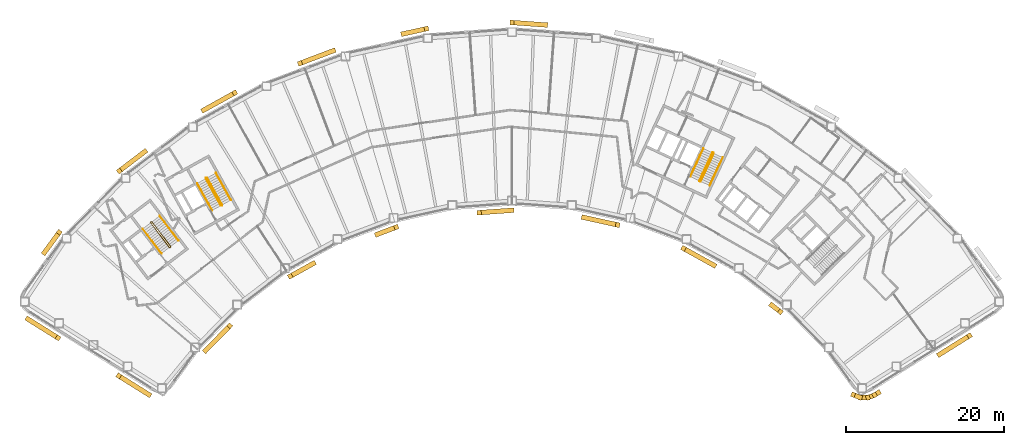
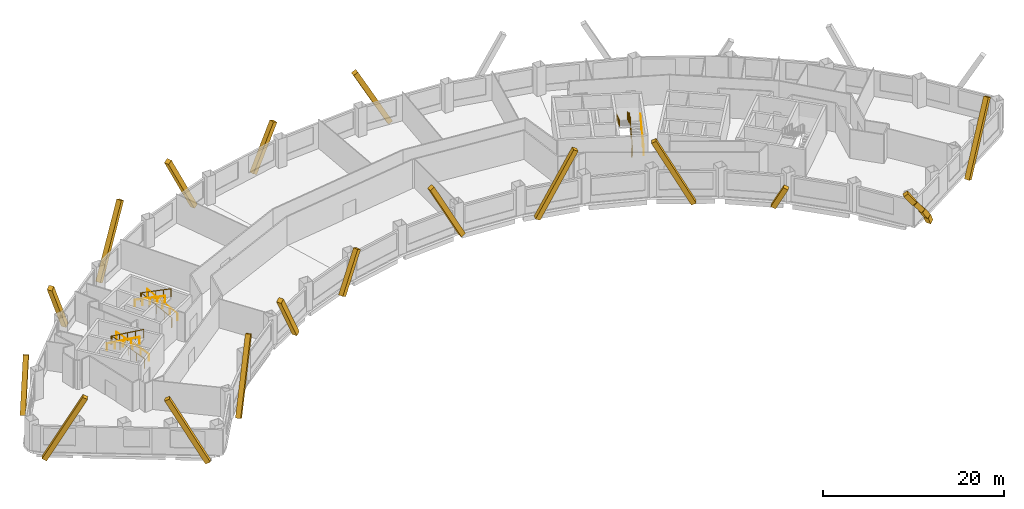
# One storey, part 10 of 11: 20 coverings, 9 railings.
"""IFC4 building model written with IfcOpenShell, lengths in metres."""

from ifc_helpers import new_model, si_unit, direction, frame, origin, origin_2d, place, context, subcontext, project, spatial, rectangle, circle, extrude, material, material_profile, profile_set, type_object, element, save


model = new_model("IFC4")

# Units and contexts
model_context = context("Model", 3, precision=1e-05, world=origin(), true_north=direction((0.0, 1.0)))
body_context = subcontext(model_context, "Body", "Model", "MODEL_VIEW")
ifc_project = project(units=[si_unit("LENGTHUNIT", "METRE"), si_unit("AREAUNIT", "SQUARE_METRE"), si_unit("VOLUMEUNIT", "CUBIC_METRE"), si_unit("PLANEANGLEUNIT", "RADIAN"), si_unit("MASSUNIT", "GRAM", prefix="KILO")], contexts=[model_context])

# Site, building, storey
site_placement = place(None, origin())
site = spatial("IfcSite", under=ifc_project, at=site_placement, CompositionType="ELEMENT")
building_placement = place(site_placement, origin())
building = spatial("IfcBuilding", under=site, at=building_placement, Name="Tuul Gate Civic Tower", CompositionType="ELEMENT")
storey_placement = place(building_placement, frame((0.0, 0.0, 116.10009765625)))
storey = spatial("IfcBuildingStorey", under=building, at=storey_placement, Name="Level 26", CompositionType="ELEMENT", Elevation=116.10009765625)

# Railings
ifc_material_1 = material(Name="Painted steel", Category="steel")
railing_type_1 = type_object("IfcRailingType", Name="Stair guard", PredefinedType="GUARDRAIL", material=ifc_material_1)
railing_1_placement = place(storey_placement, frame((-33.382080078125, -13.515380859375, 0.0)))
element("IfcRailing", 1, at=railing_1_placement, inside=storey, type_object=railing_type_1, Name="Level 26 ST-1 stair guard 1", PredefinedType="GUARDRAIL", context=body_context, shape_type="SweptSolid", body=[
    extrude(circle(Radius=0.02392578125, at=origin_2d()), frame((0.0, 0.0, 1.076171875), z_axis=(-0.795879841968, -0.605454603706, 0.0), x_axis=(0.605454603706, -0.795879841968, 0.0)), (0.0, 0.0, 1.0), 0.10009765625),
    extrude(circle(Radius=0.02392578125, at=origin_2d()), frame((-0.07958984375, -0.060546875, 1.076171875), z_axis=(0.408991890351, 0.599481263939, 0.688002796371), x_axis=(-0.826063974707, 0.563576356576, 0.0)), (0.0, 0.0, 1.0), 0.2177734375),
    extrude(circle(Radius=0.02392578125, at=origin_2d()), frame((0.009521484375, 0.070068359375, 1.22607421875), z_axis=(-0.541824460341, 0.711645023348, 0.447199748346), x_axis=(-0.795637165283, -0.60577347352, 0.0)), (0.0, 0.0, 1.0), 4.3603515625),
    extrude(circle(Radius=0.02392578125, at=origin_2d()), frame((-2.35302734375, 3.173095703125, 3.17578125), z_axis=(-0.990893089246, 0.134650977284, 0.0), x_axis=(-0.134650977284, -0.990893089246, 0.0)), (0.0, 0.0, 1.0), 0.07080078125),
    extrude(circle(Radius=0.02392578125, at=origin_2d()), frame((-2.423095703125, 3.1826171875, 3.17578125), z_axis=(-0.793802879778, -0.60817512943, 0.0), x_axis=(0.60817512943, -0.793802879778, 0.0)), (0.0, 0.0, 1.0), 0.099853515625),
    extrude(circle(Radius=0.02392578125, at=origin_2d()), frame((-2.50244140625, 3.121826171875, 3.17578125), z_axis=(-0.057370624079, -0.422188951554, 0.904690610473), x_axis=(0.990893089246, -0.134650977284, 0.0)), (0.0, 0.0, 1.0), 0.166015625),
    extrude(circle(Radius=0.02392578125, at=origin_2d()), frame((-2.511962890625, 3.0517578125, 3.326171875), z_axis=(0.541806494602, -0.71163897684, 0.447231136047), x_axis=(0.795644365679, 0.605764016233, 0.0)), (0.0, 0.0, 1.0), 4.360107421875),
    extrude(circle(Radius=0.02099609375, at=origin_2d()), origin(), (0.0, 0.0, 1.0), 1.052001953125),
    extrude(circle(Radius=0.02099609375, at=origin_2d()), frame((-0.07958984375, -0.060546875, 0.0)), (0.0, 0.0, 1.0), 1.052001953125),
    extrude(circle(Radius=0.02099609375, at=origin_2d()), frame((0.009521484375, 0.070068359375, 0.14990234375)), (0.0, 0.0, 1.0), 1.052001953125),
    extrude(circle(Radius=0.02099609375, at=origin_2d()), frame((-0.5810546875, 0.845703125, 0.637451171875)), (0.0, 0.0, 1.0), 1.052001953125),
    extrude(circle(Radius=0.02099609375, at=origin_2d()), frame((-1.171875, 1.62158203125, 1.125)), (0.0, 0.0, 1.0), 1.052001953125),
    extrude(circle(Radius=0.02099609375, at=origin_2d()), frame((-1.762451171875, 2.3974609375, 1.6123046875)), (0.0, 0.0, 1.0), 1.052001953125),
    extrude(circle(Radius=0.02099609375, at=origin_2d()), frame((-2.35302734375, 3.173095703125, 2.099853515625)), (0.0, 0.0, 1.0), 1.052001953125),
    extrude(circle(Radius=0.02099609375, at=origin_2d()), frame((-2.423095703125, 3.1826171875, 2.099853515625)), (0.0, 0.0, 1.0), 1.052001953125),
    extrude(circle(Radius=0.02099609375, at=origin_2d()), frame((-2.50244140625, 3.121826171875, 2.099853515625)), (0.0, 0.0, 1.0), 1.052001953125),
    extrude(circle(Radius=0.02099609375, at=origin_2d()), frame((-2.511962890625, 3.0517578125, 2.25)), (0.0, 0.0, 1.0), 1.052001953125),
    extrude(circle(Radius=0.02099609375, at=origin_2d()), frame((-1.92138671875, 2.276123046875, 2.737548828125)), (0.0, 0.0, 1.0), 1.052001953125),
    extrude(circle(Radius=0.02099609375, at=origin_2d()), frame((-1.330810546875, 1.50048828125, 3.22509765625)), (0.0, 0.0, 1.0), 1.052001953125),
    extrude(circle(Radius=0.02099609375, at=origin_2d()), frame((-0.740234375, 0.724609375, 3.71240234375)), (0.0, 0.0, 1.0), 1.052001953125),
    extrude(circle(Radius=0.02099609375, at=origin_2d()), frame((-0.149658203125, -0.051025390625, 4.199951171875)), (0.0, 0.0, 1.0), 1.052001953125),
])
railing_2_placement = place(storey_placement, frame((-26.857666015625, -8.247314453125, 0.0)))
element("IfcRailing", 2, at=railing_2_placement, inside=storey, type_object=railing_type_1, Name="Level 26 ST-2 stair guard 1", PredefinedType="GUARDRAIL", context=body_context, shape_type="SweptSolid", body=[
    extrude(circle(Radius=0.02392578125, at=origin_2d()), frame((0.0, 0.0, 1.076171875), z_axis=(-0.874616555828, -0.48481530532, 0.0), x_axis=(0.48481530532, -0.874616555828, 0.0)), (0.0, 0.0, 1.0), 0.10009765625),
    extrude(circle(Radius=0.02392578125, at=origin_2d()), frame((-0.087646484375, -0.048583984375, 1.076171875), z_axis=(0.49081399482, 0.534516610797, 0.688036056665), x_axis=(-0.736576986774, 0.676353711126, 0.0)), (0.0, 0.0, 1.0), 0.2177734375),
    extrude(circle(Radius=0.02392578125, at=origin_2d()), frame((0.019287109375, 0.06787109375, 1.22607421875), z_axis=(-0.43354991378, 0.782327185242, 0.447212083348), x_axis=(-0.874667644053, -0.484723129681, 0.0)), (0.0, 0.0, 1.0), 4.3603515625),
    extrude(circle(Radius=0.02392578125, at=origin_2d()), frame((-1.87109375, 3.47900390625, 3.17578125), z_axis=(-0.961263487578, 0.275631107549, 0.0), x_axis=(-0.275631107549, -0.961263487578, 0.0)), (0.0, 0.0, 1.0), 0.07080078125),
    extrude(circle(Radius=0.02392578125, at=origin_2d()), frame((-1.939208984375, 3.49853515625, 3.17578125), z_axis=(-0.874042088414, -0.485850211157, 0.0), x_axis=(0.485850211157, -0.874042088414, 0.0)), (0.0, 0.0, 1.0), 0.10009765625),
    extrude(circle(Radius=0.02392578125, at=origin_2d()), frame((-2.026611328125, 3.449951171875, 3.17578125), z_axis=(-0.117709570447, -0.409040757305, 0.904892322815), x_axis=(0.961000426733, -0.276546885391, 0.0)), (0.0, 0.0, 1.0), 0.166015625),
    extrude(circle(Radius=0.02392578125, at=origin_2d()), frame((-2.046142578125, 3.382080078125, 3.326171875), z_axis=(0.433595379963, -0.782308193291, 0.447201226726), x_axis=(0.874641102302, 0.484771020343, 0.0)), (0.0, 0.0, 1.0), 4.3603515625),
    extrude(circle(Radius=0.02099609375, at=origin_2d()), origin(), (0.0, 0.0, 1.0), 1.052001953125),
    extrude(circle(Radius=0.02099609375, at=origin_2d()), frame((-0.087646484375, -0.048583984375, 0.0)), (0.0, 0.0, 1.0), 1.052001953125),
    extrude(circle(Radius=0.02099609375, at=origin_2d()), frame((0.019287109375, 0.06787109375, 0.14990234375)), (0.0, 0.0, 1.0), 1.052001953125),
    extrude(circle(Radius=0.02099609375, at=origin_2d()), frame((-0.453369140625, 0.920654296875, 0.637451171875)), (0.0, 0.0, 1.0), 1.052001953125),
    extrude(circle(Radius=0.02099609375, at=origin_2d()), frame((-0.92578125, 1.7734375, 1.125)), (0.0, 0.0, 1.0), 1.052001953125),
    extrude(circle(Radius=0.02099609375, at=origin_2d()), frame((-1.3984375, 2.626220703125, 1.6123046875)), (0.0, 0.0, 1.0), 1.052001953125),
    extrude(circle(Radius=0.02099609375, at=origin_2d()), frame((-1.87109375, 3.47900390625, 2.099853515625)), (0.0, 0.0, 1.0), 1.052001953125),
    extrude(circle(Radius=0.02099609375, at=origin_2d()), frame((-1.939208984375, 3.49853515625, 2.099853515625)), (0.0, 0.0, 1.0), 1.052001953125),
    extrude(circle(Radius=0.02099609375, at=origin_2d()), frame((-2.026611328125, 3.449951171875, 2.099853515625)), (0.0, 0.0, 1.0), 1.052001953125),
    extrude(circle(Radius=0.02099609375, at=origin_2d()), frame((-2.046142578125, 3.382080078125, 2.25)), (0.0, 0.0, 1.0), 1.052001953125),
    extrude(circle(Radius=0.02099609375, at=origin_2d()), frame((-1.573486328125, 2.529296875, 2.737548828125)), (0.0, 0.0, 1.0), 1.052001953125),
    extrude(circle(Radius=0.02099609375, at=origin_2d()), frame((-1.100830078125, 1.676513671875, 3.22509765625)), (0.0, 0.0, 1.0), 1.052001953125),
    extrude(circle(Radius=0.02099609375, at=origin_2d()), frame((-0.628173828125, 0.82373046875, 3.71240234375)), (0.0, 0.0, 1.0), 1.052001953125),
    extrude(circle(Radius=0.02099609375, at=origin_2d()), frame((-0.155517578125, -0.029052734375, 4.199951171875)), (0.0, 0.0, 1.0), 1.052001953125),
])
railing_3_placement = place(storey_placement, frame((33.645751953125, -5.238525390625, 0.0)))
element("IfcRailing", 3, at=railing_3_placement, inside=storey, type_object=railing_type_1, Name="Level 26 ST-4 stair guard 1", PredefinedType="GUARDRAIL", context=body_context, shape_type="SweptSolid", body=[
    extrude(circle(Radius=0.02392578125, at=origin_2d()), frame((0.0, 0.0, 1.076171875), z_axis=(-0.906307919131, 0.422617978463, 0.0), x_axis=(-0.422617978463, -0.906307919131, 0.0)), (0.0, 0.0, 1.0), 0.099853515625),
    extrude(circle(Radius=0.02392578125, at=origin_2d()), frame((-0.090576171875, 0.042236328125, 1.076171875), z_axis=(0.720735628292, -0.082946246491, 0.688229666829), x_axis=(0.114330889033, 0.993442724979, 0.0)), (0.0, 0.0, 1.0), 0.2177734375),
    extrude(circle(Radius=0.02392578125, at=origin_2d()), frame((0.06640625, 0.024169921875, 1.22607421875), z_axis=(0.377946903738, 0.810654114417, 0.447209173356), x_axis=(-0.906336612539, 0.422556439746, 0.0)), (0.0, 0.0, 1.0), 4.3603515625),
    extrude(circle(Radius=0.02392578125, at=origin_2d()), frame((1.71435546875, 3.558837890625, 3.17578125), z_axis=(-0.342020437038, 0.939692513883, 0.0), x_axis=(-0.939692513883, -0.342020437038, 0.0)), (0.0, 0.0, 1.0), 0.070556640625),
    extrude(circle(Radius=0.02392578125, at=origin_2d()), frame((1.690185546875, 3.625244140625, 3.17578125), z_axis=(-0.906307919131, 0.422617978463, 0.0), x_axis=(-0.422617978463, -0.906307919131, 0.0)), (0.0, 0.0, 1.0), 0.099853515625),
    extrude(circle(Radius=0.02392578125, at=origin_2d()), frame((1.599609375, 3.66748046875, 3.17578125), z_axis=(-0.400168791901, -0.145649670582, 0.904793408159), x_axis=(0.342020437038, -0.939692513883, 0.0)), (0.0, 0.0, 1.0), 0.166015625),
    extrude(circle(Radius=0.02392578125, at=origin_2d()), frame((1.533203125, 3.643310546875, 3.326171875), z_axis=(-0.377946903738, -0.810654114417, 0.447209173356), x_axis=(0.906336612539, -0.422556439746, 0.0)), (0.0, 0.0, 1.0), 4.3603515625),
    extrude(circle(Radius=0.02099609375, at=origin_2d()), origin(), (0.0, 0.0, 1.0), 1.052001953125),
    extrude(circle(Radius=0.02099609375, at=origin_2d()), frame((-0.090576171875, 0.042236328125, 0.0)), (0.0, 0.0, 1.0), 1.052001953125),
    extrude(circle(Radius=0.02099609375, at=origin_2d()), frame((0.06640625, 0.024169921875, 0.14990234375)), (0.0, 0.0, 1.0), 1.052001953125),
    extrude(circle(Radius=0.02099609375, at=origin_2d()), frame((0.478515625, 0.90771484375, 0.637451171875)), (0.0, 0.0, 1.0), 1.052001953125),
    extrude(circle(Radius=0.02099609375, at=origin_2d()), frame((0.890380859375, 1.79150390625, 1.125)), (0.0, 0.0, 1.0), 1.052001953125),
    extrude(circle(Radius=0.02099609375, at=origin_2d()), frame((1.30224609375, 2.67529296875, 1.6123046875)), (0.0, 0.0, 1.0), 1.052001953125),
    extrude(circle(Radius=0.02099609375, at=origin_2d()), frame((1.71435546875, 3.558837890625, 2.099853515625)), (0.0, 0.0, 1.0), 1.052001953125),
    extrude(circle(Radius=0.02099609375, at=origin_2d()), frame((1.690185546875, 3.625244140625, 2.099853515625)), (0.0, 0.0, 1.0), 1.052001953125),
    extrude(circle(Radius=0.02099609375, at=origin_2d()), frame((1.599609375, 3.66748046875, 2.099853515625)), (0.0, 0.0, 1.0), 1.052001953125),
    extrude(circle(Radius=0.02099609375, at=origin_2d()), frame((1.533203125, 3.643310546875, 2.25)), (0.0, 0.0, 1.0), 1.052001953125),
    extrude(circle(Radius=0.02099609375, at=origin_2d()), frame((1.12109375, 2.759765625, 2.737548828125)), (0.0, 0.0, 1.0), 1.052001953125),
    extrude(circle(Radius=0.02099609375, at=origin_2d()), frame((0.709228515625, 1.8759765625, 3.22509765625)), (0.0, 0.0, 1.0), 1.052001953125),
    extrude(circle(Radius=0.02099609375, at=origin_2d()), frame((0.29736328125, 0.9921875, 3.71240234375)), (0.0, 0.0, 1.0), 1.052001953125),
    extrude(circle(Radius=0.02099609375, at=origin_2d()), frame((-0.11474609375, 0.108642578125, 4.199951171875)), (0.0, 0.0, 1.0), 1.052001953125),
])
ifc_material_2 = material(Name="Painted steel", Category="steel")
railing_type_2 = type_object("IfcRailingType", Name="Stair handrail", PredefinedType="HANDRAIL", material=ifc_material_2)
railing_4_placement = place(storey_placement, frame((-32.3779296875, -12.688232421875, 0.14990234375)))
element("IfcRailing", 4, at=railing_4_placement, inside=storey, type_object=railing_type_2, Name="Level 26 ST-1 stair handrail 1", PredefinedType="HANDRAIL", context=body_context, shape_type="SweptSolid", body=[
    extrude(circle(Radius=0.02392578125, at=origin_2d()), frame((0.0, 0.0, 0.8759765625), z_axis=(-0.541824460341, 0.711645023348, 0.447199748346), x_axis=(-0.795637165283, -0.60577347352, 0.0)), (0.0, 0.0, 1.0), 4.3603515625),
    extrude(circle(Radius=0.02099609375, at=origin_2d()), origin(), (0.0, 0.0, 1.0), 0.851806640625),
    extrude(circle(Radius=0.02099609375, at=origin_2d()), frame((-0.590576171875, 0.77587890625, 0.487548828125)), (0.0, 0.0, 1.0), 0.851806640625),
    extrude(circle(Radius=0.02099609375, at=origin_2d()), frame((-1.18115234375, 1.551513671875, 0.97509765625)), (0.0, 0.0, 1.0), 0.851806640625),
    extrude(circle(Radius=0.02099609375, at=origin_2d()), frame((-1.77197265625, 2.3271484375, 1.46240234375)), (0.0, 0.0, 1.0), 0.851806640625),
    extrude(circle(Radius=0.02099609375, at=origin_2d()), frame((-2.362548828125, 3.10302734375, 1.949951171875)), (0.0, 0.0, 1.0), 0.851806640625),
])
railing_5_placement = place(storey_placement, frame((-36.888671875, -11.220703125, 2.25)))
element("IfcRailing", 5, at=railing_5_placement, inside=storey, type_object=railing_type_2, Name="Level 26 ST-1 stair handrail 2", PredefinedType="HANDRAIL", context=body_context, shape_type="SweptSolid", body=[
    extrude(circle(Radius=0.02392578125, at=origin_2d()), frame((0.0, 0.0, 0.8759765625), z_axis=(0.541824460341, -0.711645023348, 0.447199748346), x_axis=(0.795637165283, 0.60577347352, 0.0)), (0.0, 0.0, 1.0), 4.3603515625),
    extrude(circle(Radius=0.02099609375, at=origin_2d()), origin(), (0.0, 0.0, 1.0), 0.851806640625),
    extrude(circle(Radius=0.02099609375, at=origin_2d()), frame((0.590576171875, -0.77587890625, 0.487548828125)), (0.0, 0.0, 1.0), 0.851806640625),
    extrude(circle(Radius=0.02099609375, at=origin_2d()), frame((1.18115234375, -1.551513671875, 0.97509765625)), (0.0, 0.0, 1.0), 0.851806640625),
    extrude(circle(Radius=0.02099609375, at=origin_2d()), frame((1.77197265625, -2.3271484375, 1.46240234375)), (0.0, 0.0, 1.0), 0.851806640625),
    extrude(circle(Radius=0.02099609375, at=origin_2d()), frame((2.362548828125, -3.10302734375, 1.949951171875)), (0.0, 0.0, 1.0), 0.851806640625),
])
railing_6_placement = place(storey_placement, frame((-25.744873046875, -7.573486328125, 0.14990234375)))
element("IfcRailing", 6, at=railing_6_placement, inside=storey, type_object=railing_type_2, Name="Level 26 ST-2 stair handrail 1", PredefinedType="HANDRAIL", context=body_context, shape_type="SweptSolid", body=[
    extrude(circle(Radius=0.02392578125, at=origin_2d()), frame((0.0, 0.0, 0.8759765625), z_axis=(-0.433595379963, 0.782308193291, 0.447201226726), x_axis=(-0.874641102302, -0.484771020343, 0.0)), (0.0, 0.0, 1.0), 4.3603515625),
    extrude(circle(Radius=0.02099609375, at=origin_2d()), origin(), (0.0, 0.0, 1.0), 0.851806640625),
    extrude(circle(Radius=0.02099609375, at=origin_2d()), frame((-0.47265625, 0.852783203125, 0.487548828125)), (0.0, 0.0, 1.0), 0.851806640625),
    extrude(circle(Radius=0.02099609375, at=origin_2d()), frame((-0.9453125, 1.70556640625, 0.97509765625)), (0.0, 0.0, 1.0), 0.851806640625),
    extrude(circle(Radius=0.02099609375, at=origin_2d()), frame((-1.41796875, 2.558349609375, 1.46240234375)), (0.0, 0.0, 1.0), 0.851806640625),
    extrude(circle(Radius=0.02099609375, at=origin_2d()), frame((-1.890625, 3.4111328125, 1.949951171875)), (0.0, 0.0, 1.0), 0.851806640625),
])
railing_7_placement = place(storey_placement, frame((-29.9970703125, -5.47119140625, 2.25)))
element("IfcRailing", 7, at=railing_7_placement, inside=storey, type_object=railing_type_2, Name="Level 26 ST-2 stair handrail 2", PredefinedType="HANDRAIL", context=body_context, shape_type="SweptSolid", body=[
    extrude(circle(Radius=0.02392578125, at=origin_2d()), frame((0.0, 0.0, 0.8759765625), z_axis=(0.433595379963, -0.782308193291, 0.447201226726), x_axis=(0.874641102302, 0.484771020343, 0.0)), (0.0, 0.0, 1.0), 4.3603515625),
    extrude(circle(Radius=0.02099609375, at=origin_2d()), origin(), (0.0, 0.0, 1.0), 0.851806640625),
    extrude(circle(Radius=0.02099609375, at=origin_2d()), frame((0.47265625, -0.852783203125, 0.487548828125)), (0.0, 0.0, 1.0), 0.851806640625),
    extrude(circle(Radius=0.02099609375, at=origin_2d()), frame((0.9453125, -1.70556640625, 0.97509765625)), (0.0, 0.0, 1.0), 0.851806640625),
    extrude(circle(Radius=0.02099609375, at=origin_2d()), frame((1.41796875, -2.558349609375, 1.46240234375)), (0.0, 0.0, 1.0), 0.851806640625),
    extrude(circle(Radius=0.02099609375, at=origin_2d()), frame((1.890625, -3.4111328125, 1.949951171875)), (0.0, 0.0, 1.0), 0.851806640625),
])
railing_8_placement = place(storey_placement, frame((34.844970703125, -5.74267578125, 0.14990234375)))
element("IfcRailing", 8, at=railing_8_placement, inside=storey, type_object=railing_type_2, Name="Level 26 ST-4 stair handrail 1", PredefinedType="HANDRAIL", context=body_context, shape_type="SweptSolid", body=[
    extrude(circle(Radius=0.02392578125, at=origin_2d()), frame((0.0, 0.0, 0.8759765625), z_axis=(0.377994896215, 0.810636958585, 0.447199709091), x_axis=(-0.906312636903, 0.422607861012, 0.0)), (0.0, 0.0, 1.0), 4.3603515625),
    extrude(circle(Radius=0.02099609375, at=origin_2d()), origin(), (0.0, 0.0, 1.0), 0.851806640625),
    extrude(circle(Radius=0.02099609375, at=origin_2d()), frame((0.412109375, 0.8837890625, 0.487548828125)), (0.0, 0.0, 1.0), 0.851806640625),
    extrude(circle(Radius=0.02099609375, at=origin_2d()), frame((0.82421875, 1.767333984375, 0.97509765625)), (0.0, 0.0, 1.0), 0.851806640625),
    extrude(circle(Radius=0.02099609375, at=origin_2d()), frame((1.236083984375, 2.65087890625, 1.46240234375)), (0.0, 0.0, 1.0), 0.851806640625),
    extrude(circle(Radius=0.02099609375, at=origin_2d()), frame((1.648193359375, 3.53466796875, 1.949951171875)), (0.0, 0.0, 1.0), 0.851806640625),
])
railing_9_placement = place(storey_placement, frame((34.046142578125, -1.06689453125, 2.25)))
element("IfcRailing", 9, at=railing_9_placement, inside=storey, type_object=railing_type_2, Name="Level 26 ST-4 stair handrail 2", PredefinedType="HANDRAIL", context=body_context, shape_type="SweptSolid", body=[
    extrude(circle(Radius=0.02392578125, at=origin_2d()), frame((0.0, 0.0, 0.8759765625), z_axis=(-0.377994896215, -0.810636958585, 0.447199709091), x_axis=(0.906312636903, -0.422607861012, 0.0)), (0.0, 0.0, 1.0), 4.3603515625),
    extrude(circle(Radius=0.02099609375, at=origin_2d()), origin(), (0.0, 0.0, 1.0), 0.851806640625),
    extrude(circle(Radius=0.02099609375, at=origin_2d()), frame((-0.412109375, -0.8837890625, 0.487548828125)), (0.0, 0.0, 1.0), 0.851806640625),
    extrude(circle(Radius=0.02099609375, at=origin_2d()), frame((-0.82421875, -1.767333984375, 0.97509765625)), (0.0, 0.0, 1.0), 0.851806640625),
    extrude(circle(Radius=0.02099609375, at=origin_2d()), frame((-1.236083984375, -2.65087890625, 1.46240234375)), (0.0, 0.0, 1.0), 0.851806640625),
    extrude(circle(Radius=0.02099609375, at=origin_2d()), frame((-1.648193359375, -3.53466796875, 1.949951171875)), (0.0, 0.0, 1.0), 0.851806640625),
])

# Coverings
ifc_material_3 = material(Name="Terracotta baguette", Category="masonry")
ifc_material_profile = material_profile(ifc_material_3, rectangle(XDim=0.60009765625, YDim=0.60009765625, at=origin_2d()), Name="Terracotta baguette screen frame")
ifc_profile_set = profile_set([ifc_material_profile], Name="Terracotta baguette")
covering_type = type_object("IfcCoveringType", Name="Terracotta baguette screen frame", PredefinedType="CLADDING", material=ifc_profile_set)
covering_1_placement = place(storey_placement, frame((63.8916015625, -27.137451171875, -0.35009765625), z_axis=(0.402311882917, 0.25140654805, 0.880306705905), x_axis=(-0.529940764372, 0.848034661, 0.0)))
element("IfcCovering", 10, at=covering_1_placement, inside=storey, type_object=covering_type, Name="Baguette 2", PredefinedType="CLADDING", context=body_context, shape_type="SweptSolid", body=[
    extrude(rectangle(XDim=0.60009765625, YDim=0.60009765625, at=origin_2d()), origin(), (0.0, 0.0, 1.0), 9.5419921875),
])
covering_2_placement = place(storey_placement, frame((9.8291015625, 14.889892578125, 7.55029296875), z_axis=(0.47391214499, -0.034369438939, -0.879901142457), x_axis=(0.07233283692, 0.997380549591, 0.0)))
element("IfcCovering", 11, at=covering_2_placement, inside=storey, type_object=covering_type, Name="Baguette 77", PredefinedType="CLADDING", context=body_context, shape_type="SweptSolid", body=[
    extrude(rectangle(XDim=0.60009765625, YDim=0.60009765625, at=origin_2d()), origin(), (0.0, 0.0, 1.0), 8.978759765625),
])
covering_3_placement = place(storey_placement, frame((-0.994384765625, 14.10498046875, 5.254638671875), z_axis=(-0.464036135768, -0.102258892395, -0.879894075232), x_axis=(0.215204911668, -0.976568915128, 0.0)))
element("IfcCovering", 12, at=covering_3_placement, inside=storey, type_object=covering_type, Name="Baguette 84", PredefinedType="CLADDING", context=body_context, shape_type="SweptSolid", body=[
    extrude(rectangle(XDim=0.60009765625, YDim=0.60009765625, at=origin_2d()), origin(), (0.0, 0.0, 1.0), 6.369873046875),
])
for number, where, z_axis, x_axis, name in (
    (13, (-17.001708984375, 9.72412109375, 8.0498046875), (0.444493870859, 0.168018222861, -0.879883557953), (-0.353581620873, 0.935403676164, 0.0), "Baguette 98"),
    (14, (-25.244384765625, 5.990234375, 8.0498046875), (-0.415599156496, -0.23036842051, -0.879890750009), (0.484806475071, -0.874621450531, 0.0), "Baguette 103"),
):
    element("IfcCovering", number, at=place(storey_placement, frame(where, z_axis=z_axis, x_axis=x_axis)), inside=storey, type_object=covering_type, Name=name, PredefinedType="CLADDING", context=body_context, shape_type="SweptSolid", body=[
        extrude(rectangle(XDim=0.60009765625, YDim=0.60009765625, at=origin_2d()), origin(), (0.0, 0.0, 1.0), 9.546630859375),
    ])
covering_4_placement = place(storey_placement, frame((-39.864501953125, -3.902099609375, 7.219482421875), z_axis=(0.37804114124, 0.287851609909, -0.879901327538), x_axis=(-0.60580385418, 0.795614033474, 0.0)))
element("IfcCovering", 15, at=covering_4_placement, inside=storey, type_object=covering_type, Name="Baguette 119", PredefinedType="CLADDING", context=body_context, shape_type="SweptSolid", body=[
    extrude(rectangle(XDim=0.60009765625, YDim=0.60009765625, at=origin_2d()), origin(), (0.0, 0.0, 1.0), 8.602783203125),
])
covering_5_placement = place(storey_placement, frame((-47.460693359375, -11.65185546875, 5.5859375), z_axis=(-0.281403184442, -0.38521692185, -0.878874377204), x_axis=(0.807492455087, -0.589877898363, 0.0)))
element("IfcCovering", 16, at=covering_5_placement, inside=storey, type_object=covering_type, Name="Baguette 126", PredefinedType="CLADDING", context=body_context, shape_type="SweptSolid", body=[
    extrude(rectangle(XDim=0.60009765625, YDim=0.60009765625, at=origin_2d()), origin(), (0.0, 0.0, 1.0), 6.754150390625),
])
covering_6_placement = place(storey_placement, frame((-47.6162109375, -25.023681640625, 8.0498046875), z_axis=(-0.402293025591, 0.251385166726, -0.880321429656), x_axis=(-0.529926214669, -0.848043753002, 0.0)))
element("IfcCovering", 17, at=covering_6_placement, inside=storey, type_object=covering_type, Name="Baguette 151", PredefinedType="CLADDING", context=body_context, shape_type="SweptSolid", body=[
    extrude(rectangle(XDim=0.60009765625, YDim=0.60009765625, at=origin_2d()), origin(), (0.0, 0.0, 1.0), 9.541748046875),
])
covering_7_placement = place(storey_placement, frame((-39.938720703125, -29.821044921875, 8.0498046875), z_axis=(0.402314470661, -0.251382579131, -0.8803123682), x_axis=(0.529901976461, 0.848058898511, 0.0)))
element("IfcCovering", 18, at=covering_7_placement, inside=storey, type_object=covering_type, Name="Baguette 155", PredefinedType="CLADDING", context=body_context, shape_type="SweptSolid", body=[
    extrude(rectangle(XDim=0.60009765625, YDim=0.60009765625, at=origin_2d()), origin(), (0.0, 0.0, 1.0), 9.5419921875),
])
covering_8_placement = place(storey_placement, frame((-25.87841796875, -23.490478515625, 8.0498046875), z_axis=(-0.326304785262, -0.332913164286, -0.884699956008), x_axis=(0.714159342562, -0.699983166534, 0.0)))
element("IfcCovering", 19, at=covering_8_placement, inside=storey, type_object=covering_type, Name="Baguette 183", PredefinedType="CLADDING", context=body_context, shape_type="SweptSolid", body=[
    extrude(rectangle(XDim=0.60009765625, YDim=0.60009765625, at=origin_2d()), origin(), (0.0, 0.0, 1.0), 9.49462890625),
])
covering_9_placement = place(storey_placement, frame((-18.239990234375, -17.224609375, 6.0625), z_axis=(0.40772187358, 0.226006920423, -0.884694153776), x_axis=(-0.484814535544, 0.874616982527, 0.0)))
element("IfcCovering", 20, at=covering_9_placement, inside=storey, type_object=covering_type, Name="Baguette 191", PredefinedType="CLADDING", context=body_context, shape_type="SweptSolid", body=[
    extrude(rectangle(XDim=0.60009765625, YDim=0.60009765625, at=origin_2d()), origin(), (0.0, 0.0, 1.0), 7.248291015625),
])
covering_10_placement = place(storey_placement, frame((-4.8134765625, -11.004638671875, 4.593994140625), z_axis=(-0.436035973669, -0.16487323561, -0.88469737529), x_axis=(0.353679388764, -0.935366714163, 0.0)))
element("IfcCovering", 21, at=covering_10_placement, inside=storey, type_object=covering_type, Name="Baguette 209", PredefinedType="CLADDING", context=body_context, shape_type="SweptSolid", body=[
    extrude(rectangle(XDim=0.60009765625, YDim=0.60009765625, at=origin_2d()), origin(), (0.0, 0.0, 1.0), 5.58837890625),
])
covering_11_placement = place(storey_placement, frame((5.677001953125, -9.17333984375, 8.0498046875), z_axis=(0.464945496627, 0.033626328033, -0.884700488996), x_axis=(-0.07213475166, 0.997394895517, 0.0)))
element("IfcCovering", 22, at=covering_11_placement, inside=storey, type_object=covering_type, Name="Baguette 216", PredefinedType="CLADDING", context=body_context, shape_type="SweptSolid", body=[
    extrude(rectangle(XDim=0.60009765625, YDim=0.60009765625, at=origin_2d()), origin(), (0.0, 0.0, 1.0), 8.93017578125),
])
for number, where, z_axis, x_axis, name in (
    (23, (23.20703125, -10.72607421875, 8.0498046875), (-0.455212630132, 0.10033551843, -0.884711390856), (-0.21524797351, -0.976559424664, 0.0), "Baguette 232"),
    (24, (31.53173828125, -13.69580078125, 8.0498046875), (0.407714066256, -0.225996400626, -0.884700439178), (0.484804374507, 0.87462261488, 0.0), "Baguette 238"),
):
    element("IfcCovering", number, at=place(storey_placement, frame(where, z_axis=z_axis, x_axis=x_axis)), inside=storey, type_object=covering_type, Name=name, PredefinedType="CLADDING", context=body_context, shape_type="SweptSolid", body=[
        extrude(rectangle(XDim=0.60009765625, YDim=0.60009765625, at=origin_2d()), origin(), (0.0, 0.0, 1.0), 9.49462890625),
    ])
covering_12_placement = place(storey_placement, frame((43.79931640625, -21.71875, 2.342529296875), z_axis=(-0.370840052138, 0.282441666359, -0.88470580468), x_axis=(-0.605903218939, -0.795538364429, 0.0)))
element("IfcCovering", 25, at=covering_12_placement, inside=storey, type_object=covering_type, Name="Baguette 255", PredefinedType="CLADDING", context=body_context, shape_type="SweptSolid", body=[
    extrude(rectangle(XDim=0.60009765625, YDim=0.60009765625, at=origin_2d()), origin(), (0.0, 0.0, 1.0), 3.04345703125),
])
covering_13_placement = place(storey_placement, frame((52.9951171875, -32.212646484375, 4.61181640625), z_axis=(0.560309218676, -0.22230892077, -0.79789242584), x_axis=(0.368793912902, 0.92951118864, 0.0)))
element("IfcCovering", 26, at=covering_13_placement, inside=storey, type_object=covering_type, Name="Baguette 272", PredefinedType="CLADDING", context=body_context, shape_type="SweptSolid", body=[
    extrude(rectangle(XDim=0.60009765625, YDim=0.60009765625, at=origin_2d()), origin(), (0.0, 0.0, 1.0), 1.6142578125),
])
covering_14_placement = place(storey_placement, frame((53.899658203125, -32.571533203125, 3.32373046875), z_axis=(0.60248769528, -0.001814266586, -0.798126108753), x_axis=(0.003011278693, 0.99999546609, 0.0)))
element("IfcCovering", 27, at=covering_14_placement, inside=storey, type_object=covering_type, Name="Baguette 273", PredefinedType="CLADDING", context=body_context, shape_type="SweptSolid", body=[
    extrude(rectangle(XDim=0.60009765625, YDim=0.60009765625, at=origin_2d()), origin(), (0.0, 0.0, 1.0), 1.61474609375),
])
covering_15_placement = place(storey_placement, frame((54.87255859375, -32.574462890625, 2.034912109375), z_axis=(0.534089777671, 0.207744645016, -0.819506114592), x_axis=(-0.362511535842, 0.931979284309, 0.0)))
element("IfcCovering", 28, at=covering_15_placement, inside=storey, type_object=covering_type, Name="Baguette 274", PredefinedType="CLADDING", context=body_context, shape_type="SweptSolid", body=[
    extrude(rectangle(XDim=0.60009765625, YDim=0.60009765625, at=origin_2d()), origin(), (0.0, 0.0, 1.0), 1.57470703125),
])
covering_16_placement = place(storey_placement, frame((55.713623046875, -32.247314453125, 0.744384765625), z_axis=(0.402352266006, 0.251347438013, -0.880305128603), x_axis=(-0.52981289744, 0.848114552231, 0.0)))
element("IfcCovering", 29, at=covering_16_placement, inside=storey, type_object=covering_type, Name="Baguette 275", PredefinedType="CLADDING", context=body_context, shape_type="SweptSolid", body=[
    extrude(rectangle(XDim=0.60009765625, YDim=0.60009765625, at=origin_2d()), origin(), (0.0, 0.0, 1.0), 1.243408203125),
])

save(model, "model.ifc")
